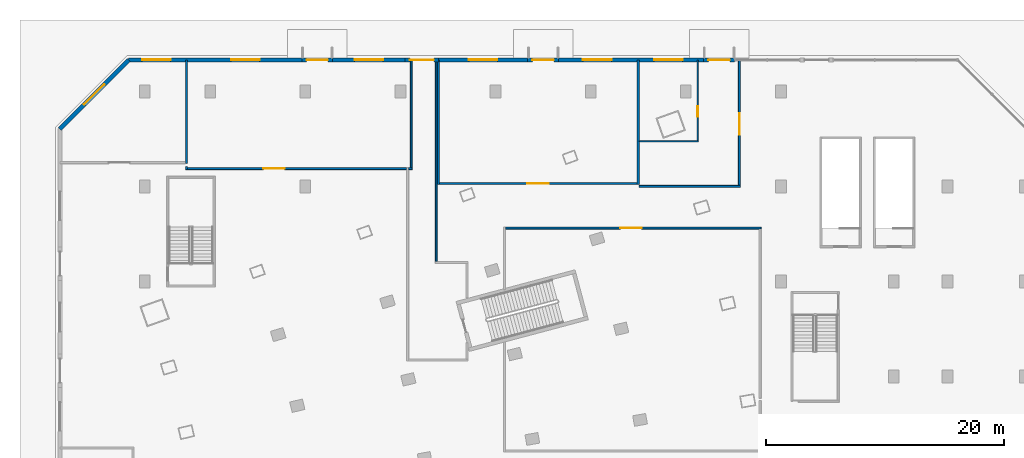
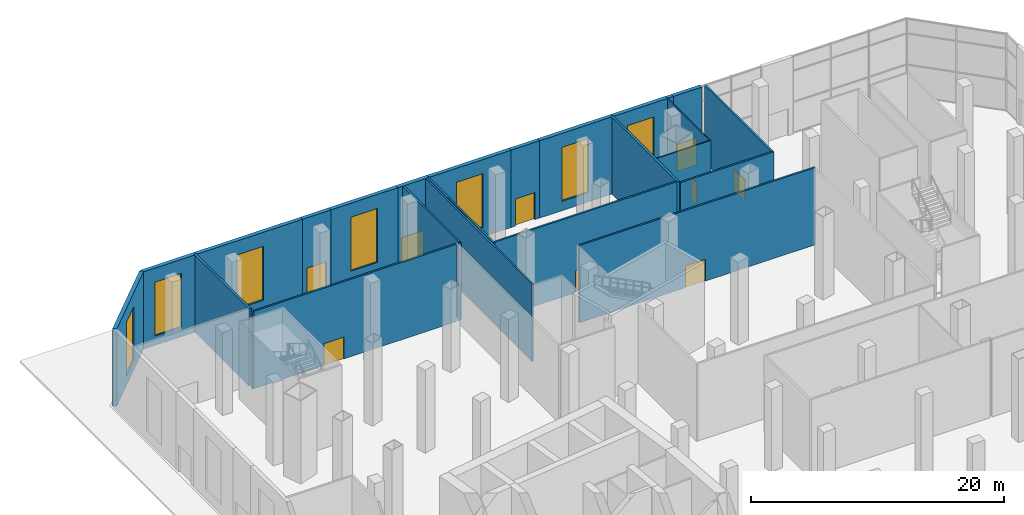
# One storey, part 19 of 33: 23 walls, 9 doors, 7 windows, 16 openings.
"""IFC4 building model written with IfcOpenShell, lengths in metres."""

from ifc_helpers import new_model, si_unit, direction, frame, frame_2d, origin, place, context, subcontext, project, spatial, rectangle, extrude, material, layer, layer_set, type_object, element, fill, save


model = new_model("IFC4")

# Units and contexts
model_context = context("Model", 3, precision=1e-05, world=origin(), true_north=direction((0.0, 1.0)))
body_context = subcontext(model_context, "Body", "Model", "MODEL_VIEW")
ifc_project = project(units=[si_unit("LENGTHUNIT", "METRE"), si_unit("AREAUNIT", "SQUARE_METRE"), si_unit("VOLUMEUNIT", "CUBIC_METRE"), si_unit("PLANEANGLEUNIT", "RADIAN"), si_unit("MASSUNIT", "GRAM", prefix="KILO")], contexts=[model_context])

# Site, building, storey
site_placement = place(None, origin())
site = spatial("IfcSite", under=ifc_project, at=site_placement, CompositionType="ELEMENT")
building_placement = place(site_placement, origin())
building = spatial("IfcBuilding", under=site, at=building_placement, Name="Alderwake Tower", CompositionType="ELEMENT")
storey_placement = place(building_placement, origin())
storey = spatial("IfcBuildingStorey", under=building, at=storey_placement, Name="L00", CompositionType="ELEMENT", Elevation=0.0)

# Wall
ifc_material_1 = material(Name="Gypsum board on metal studs, rated")
ifc_layer_1 = layer(ifc_material_1, 0.159912109375)
ifc_layer_set_1 = layer_set([ifc_layer_1], Name="Corridor wall 160")
wall_type_1 = type_object("IfcWallType", Name="Corridor wall 160", PredefinedType="PARTITIONING", material=ifc_layer_set_1)
wall_1_placement = place(storey_placement, frame((14.0009765625, 105.4208984375, 0.0), z_axis=(0.0, 0.0, 1.0), x_axis=(0.0, 1.0, 0.0)))
element("IfcWall", 1, at=wall_1_placement, inside=storey, type_object=wall_type_1, Name="WL/L00/W70", PredefinedType="PARTITIONING", context=body_context, shape_type="SweptSolid", body=[
    extrude(rectangle(XDim=0.244873046875, YDim=0.159912109375, at=frame_2d((0.12255859375, 0.0))), origin(), (0.0, 0.0, 1.0), 7.449951171875),
])

# Wall, opening, door
wall_2_placement = place(storey_placement, frame((32.52587890625, 105.5009765625, 0.0), z_axis=(0.0, 0.0, 1.0), x_axis=(-1.0, 0.0, 0.0)))
wall_2 = element("IfcWall", 2, at=wall_2_placement, inside=storey, type_object=wall_type_1, Name="WL/L00/W72", PredefinedType="PARTITIONING", context=body_context, shape_type="SweptSolid", body=[
    extrude(rectangle(XDim=18.44482421875, YDim=0.159912109375, at=frame_2d((9.222412109375, 0.0))), origin(), (0.0, 0.0, 1.0), 7.449951171875),
])
opening_1_placement = place(wall_2_placement, frame((10.27587890625, 0.0, 0.0)))
opening_1 = element("IfcOpeningElement", 3, at=opening_1_placement, cuts=wall_2, Name="Opening L00-16", PredefinedType="OPENING", context=body_context, shape_type="SweptSolid", body=[
    extrude(rectangle(XDim=1.800048828125, YDim=2.10009765625, at=frame_2d((0.89990234375, 1.050048828125))), frame((0.0, 0.08984375, 0.0), z_axis=(0.0, -1.0, 0.0), x_axis=(1.0, 0.0, 0.0)), (0.0, 0.0, 1.0), 0.179931640625),
])
ifc_material_2 = material(Name="Aluminium framed glazed leaves", Category="aluminium")
door_type_1 = type_object("IfcDoorType", Name="Shopfront door 1800 glazed double", OperationType="DOUBLE_DOOR_SINGLE_SWING", PredefinedType="DOOR", material=ifc_material_2)
door_1_placement = place(opening_1_placement, origin())
door_1 = element("IfcDoor", 4, at=door_1_placement, inside=storey, type_object=door_type_1, Name="DR/L00/16", OperationType="DOUBLE_DOOR_SINGLE_SWING", OverallHeight=2.10009765625, OverallWidth=1.800048828125, PredefinedType="DOOR", context=body_context, shape_type="SweptSolid", body=[
    extrude(rectangle(XDim=1.800048828125, YDim=2.10009765625, at=frame_2d((0.89990234375, 1.050048828125))), frame((0.0, 0.02490234375, 0.0), z_axis=(0.0, -1.0, 0.0), x_axis=(1.0, 0.0, 0.0)), (0.0, 0.0, 1.0), 0.050048828125),
])
fill(opening_1, door_1)

# Wall
wall_3_placement = place(storey_placement, frame((35.198974609375, 104.169921875, 0.0), z_axis=(0.0, 0.0, 1.0), x_axis=(0.0, 1.0, 0.0)))
element("IfcWall", 5, at=wall_3_placement, inside=storey, type_object=wall_type_1, Name="WL/L00/W73", PredefinedType="PARTITIONING", context=body_context, shape_type="SweptSolid", body=[
    extrude(rectangle(XDim=10.4501953125, YDim=0.159912109375, at=frame_2d((5.22509765625, 0.0))), origin(), (0.0, 0.0, 1.0), 7.449951171875),
])

# Wall, opening, door
wall_4_placement = place(storey_placement, frame((40.8291015625, 100.5, 0.0), z_axis=(0.0, 0.0, 1.0), x_axis=(1.0, 0.0, 0.0)))
wall_4 = element("IfcWall", 6, at=wall_4_placement, inside=storey, type_object=wall_type_1, Name="WL/L00/W77", PredefinedType="PARTITIONING", context=body_context, shape_type="SweptSolid", body=[
    extrude(rectangle(XDim=21.5009765625, YDim=0.159912109375, at=frame_2d((10.75048828125, 0.0))), origin(), (0.0, 0.0, 1.0), 7.449951171875),
])
opening_2_placement = place(wall_4_placement, frame((9.6708984375, 0.0, 0.0)))
opening_2 = element("IfcOpeningElement", 7, at=opening_2_placement, cuts=wall_4, Name="Opening L00-15", PredefinedType="OPENING", context=body_context, shape_type="SweptSolid", body=[
    extrude(rectangle(XDim=1.800048828125, YDim=2.10009765625, at=frame_2d((0.89990234375, 1.050048828125))), frame((0.0, 0.08984375, 0.0), z_axis=(0.0, -1.0, 0.0), x_axis=(1.0, 0.0, 0.0)), (0.0, 0.0, 1.0), 0.179931640625),
])
door_2_placement = place(opening_2_placement, origin())
door_2 = element("IfcDoor", 8, at=door_2_placement, inside=storey, type_object=door_type_1, Name="DR/L00/15", OperationType="DOUBLE_DOOR_SINGLE_SWING", OverallHeight=2.10009765625, OverallWidth=1.800048828125, PredefinedType="DOOR", context=body_context, shape_type="SweptSolid", body=[
    extrude(rectangle(XDim=1.800048828125, YDim=2.10009765625, at=frame_2d((0.89990234375, 1.050048828125))), frame((0.0, 0.02490234375, 0.0), z_axis=(0.0, -1.0, 0.0), x_axis=(1.0, 0.0, 0.0)), (0.0, 0.0, 1.0), 0.050048828125),
])
fill(opening_2, door_2)

wall_5_placement = place(storey_placement, frame((51.89892578125, 104.25, 0.0), z_axis=(0.0, 0.0, 1.0), x_axis=(-1.0, 0.0, 0.0)))
wall_5 = element("IfcWall", 9, at=wall_5_placement, inside=storey, type_object=wall_type_1, Name="WL/L00/W88", PredefinedType="PARTITIONING", context=body_context, shape_type="SweptSolid", body=[
    extrude(rectangle(XDim=16.619873046875, YDim=0.159912109375, at=frame_2d((8.31005859375, 0.0))), origin(), (0.0, 0.0, 1.0), 7.449951171875),
])
opening_3_placement = place(wall_5_placement, frame((7.448974609375, 0.0, 0.0)))
opening_3 = element("IfcOpeningElement", 10, at=opening_3_placement, cuts=wall_5, Name="Opening L00-17", PredefinedType="OPENING", context=body_context, shape_type="SweptSolid", body=[
    extrude(rectangle(XDim=1.800048828125, YDim=2.10009765625, at=frame_2d((0.89990234375, 1.050048828125))), frame((0.0, 0.08984375, 0.0), z_axis=(0.0, -1.0, 0.0), x_axis=(1.0, 0.0, 0.0)), (0.0, 0.0, 1.0), 0.179931640625),
])
door_3_placement = place(opening_3_placement, origin())
door_3 = element("IfcDoor", 11, at=door_3_placement, inside=storey, type_object=door_type_1, Name="DR/L00/17", OperationType="DOUBLE_DOOR_SINGLE_SWING", OverallHeight=2.10009765625, OverallWidth=1.800048828125, PredefinedType="DOOR", context=body_context, shape_type="SweptSolid", body=[
    extrude(rectangle(XDim=1.800048828125, YDim=2.10009765625, at=frame_2d((0.89990234375, 1.050048828125))), frame((0.0, 0.02490234375, 0.0), z_axis=(0.0, -1.0, 0.0), x_axis=(1.0, 0.0, 0.0)), (0.0, 0.0, 1.0), 0.050048828125),
])
fill(opening_3, door_3)

# Wall
wall_6_placement = place(storey_placement, frame((60.5810546875, 104.0009765625, 0.0), z_axis=(0.0, 0.0, 1.0), x_axis=(-1.0, 0.0, 0.0)))
element("IfcWall", 12, at=wall_6_placement, inside=storey, type_object=wall_type_1, Name="WL/L00/W92", PredefinedType="PARTITIONING", context=body_context, shape_type="SweptSolid", body=[
    extrude(rectangle(XDim=8.501953125, YDim=0.159912109375, at=frame_2d((4.2509765625, 0.0))), origin(), (0.0, 0.0, 1.0), 7.449951171875),
])

# Wall, opening, door
wall_7_placement = place(storey_placement, frame((60.5009765625, 114.6201171875, 0.0), z_axis=(0.0, 0.0, 1.0), x_axis=(0.0, -1.0, 0.0)))
wall_7 = element("IfcWall", 13, at=wall_7_placement, inside=storey, type_object=wall_type_1, Name="WL/L00/W93", PredefinedType="PARTITIONING", context=body_context, shape_type="SweptSolid", body=[
    extrude(rectangle(XDim=10.5390625, YDim=0.159912109375, at=frame_2d((5.26953125, 0.0))), origin(), (0.0, 0.0, 1.0), 7.449951171875),
])
opening_4_placement = place(wall_7_placement, frame((4.469970703125, 0.0, 0.0)))
opening_4 = element("IfcOpeningElement", 14, at=opening_4_placement, cuts=wall_7, Name="Opening L00-18", PredefinedType="OPENING", context=body_context, shape_type="SweptSolid", body=[
    extrude(rectangle(XDim=1.800048828125, YDim=2.10009765625, at=frame_2d((0.89990234375, 1.050048828125))), frame((0.0, 0.08984375, 0.0), z_axis=(0.0, -1.0, 0.0), x_axis=(1.0, 0.0, 0.0)), (0.0, 0.0, 1.0), 0.179931640625),
])
door_4_placement = place(opening_4_placement, origin())
door_4 = element("IfcDoor", 15, at=door_4_placement, inside=storey, type_object=door_type_1, Name="DR/L00/18", OperationType="DOUBLE_DOOR_SINGLE_SWING", OverallHeight=2.10009765625, OverallWidth=1.800048828125, PredefinedType="DOOR", context=body_context, shape_type="SweptSolid", body=[
    extrude(rectangle(XDim=1.800048828125, YDim=2.10009765625, at=frame_2d((0.89990234375, 1.050048828125))), frame((0.0, 0.02490234375, 0.0), z_axis=(0.0, -1.0, 0.0), x_axis=(1.0, 0.0, 0.0)), (0.0, 0.0, 1.0), 0.050048828125),
])
fill(opening_4, door_4)

ifc_material_3 = material(Name="Precast concrete C50/60 spandrel panel", Category="concrete")
ifc_layer_2 = layer(ifc_material_3, 0.35009765625)
ifc_layer_set_2 = layer_set([ifc_layer_2], Name="External wall EW4 Precast concrete C50/60 podium")
wall_type_2 = type_object("IfcWallType", Name="External wall EW4 Precast concrete C50/60 podium", PredefinedType="SOLIDWALL", material=ifc_layer_set_2)
wall_8_placement = place(storey_placement, frame((60.10009765625, 114.64990234375, 0.0), z_axis=(0.0, 0.0, 1.0), x_axis=(-1.0, 0.0, 0.0)))
wall_8 = element("IfcWall", 16, at=wall_8_placement, inside=storey, type_object=wall_type_2, Name="External wall 13", PredefinedType="SOLIDWALL", context=body_context, shape_type="SweptSolid", body=[
    extrude(rectangle(XDim=2.60009765625, YDim=0.35009765625, at=frame_2d((1.300048828125, 0.0))), origin(), (0.0, 0.0, 1.0), 7.449951171875),
])
opening_5_placement = place(wall_8_placement, frame((0.39990234375, 0.0, 0.0)))
opening_5 = element("IfcOpeningElement", 17, at=opening_5_placement, cuts=wall_8, Name="Opening D10", PredefinedType="OPENING", context=body_context, shape_type="SweptSolid", body=[
    extrude(rectangle(XDim=1.800048828125, YDim=2.60009765625, at=frame_2d((0.89990234375, 1.300048828125))), frame((0.0, 0.18505859375, 0.0), z_axis=(0.0, -1.0, 0.0), x_axis=(1.0, 0.0, 0.0)), (0.0, 0.0, 1.0), 0.3701171875),
])
ifc_material_4 = material(Name="Bronze tinted glass in aluminium frame", Category="aluminium")
door_type_2 = type_object("IfcDoorType", Name="Shop entrance door SE 1800", OperationType="DOUBLE_DOOR_SINGLE_SWING", PredefinedType="DOOR", material=ifc_material_4)
door_5_placement = place(opening_5_placement, origin())
door_5 = element("IfcDoor", 18, at=door_5_placement, inside=storey, type_object=door_type_2, Name="Door D10", OperationType="DOUBLE_DOOR_SINGLE_SWING", OverallHeight=2.60009765625, OverallWidth=1.800048828125, PredefinedType="DOOR", context=body_context, shape_type="SweptSolid", body=[
    extrude(rectangle(XDim=1.800048828125, YDim=2.60009765625, at=frame_2d((0.89990234375, 1.300048828125))), frame((0.0, 0.02490234375, 0.0), z_axis=(0.0, -1.0, 0.0), x_axis=(1.0, 0.0, 0.0)), (0.0, 0.0, 1.0), 0.050048828125),
])
fill(opening_5, door_5)

# Wall, openings, windows
wall_9_placement = place(storey_placement, frame((57.5, 114.64990234375, 0.0), z_axis=(0.0, 0.0, 1.0), x_axis=(-1.0, 0.0, 0.0)))
wall_9 = element("IfcWall", 19, at=wall_9_placement, inside=storey, type_object=wall_type_2, Name="External wall 14", PredefinedType="SOLIDWALL", context=body_context, shape_type="SweptSolid", body=[
    extrude(rectangle(XDim=12.199951171875, YDim=0.35009765625, at=frame_2d((6.10009765625, 0.0))), origin(), (0.0, 0.0, 1.0), 7.449951171875),
])
opening_6_placement = place(wall_9_placement, frame((1.775390625, 0.0, 0.89990234375)))
opening_6 = element("IfcOpeningElement", 20, at=opening_6_placement, cuts=wall_9, Name="Opening W7", PredefinedType="OPENING", context=body_context, shape_type="SweptSolid", body=[
    extrude(rectangle(XDim=2.39990234375, YDim=5.199951171875, at=frame_2d((1.199951171875, 2.60009765625))), frame((0.0, 0.18505859375, 0.0), z_axis=(0.0, -1.0, 0.0), x_axis=(1.0, 0.0, 0.0)), (0.0, 0.0, 1.0), 0.3701171875),
])
opening_7_placement = place(wall_9_placement, frame((7.75048828125, 0.0, 0.89990234375)))
opening_7 = element("IfcOpeningElement", 21, at=opening_7_placement, cuts=wall_9, Name="Opening W7", PredefinedType="OPENING", context=body_context, shape_type="SweptSolid", body=[
    extrude(rectangle(XDim=2.39990234375, YDim=5.199951171875, at=frame_2d((1.199951171875, 2.60009765625))), frame((0.0, 0.18505859375, 0.0), z_axis=(0.0, -1.0, 0.0), x_axis=(1.0, 0.0, 0.0)), (0.0, 0.0, 1.0), 0.3701171875),
])
ifc_material_5 = material(Name="Bronze tinted glass in aluminium frame", Category="aluminium")
window_type = type_object("IfcWindowType", Name="Window W7 podium ground floor tall", PartitioningType="DOUBLE_PANEL_VERTICAL", PredefinedType="WINDOW", material=ifc_material_5)
window_1_placement = place(opening_6_placement, origin())
window_1 = element("IfcWindow", 22, at=window_1_placement, inside=storey, type_object=window_type, Name="Window W7 podium ground floor tall", OverallHeight=5.199951171875, OverallWidth=2.39990234375, PartitioningType="DOUBLE_PANEL_VERTICAL", PredefinedType="WINDOW", context=body_context, shape_type="SweptSolid", body=[
    extrude(rectangle(XDim=2.39990234375, YDim=5.199951171875, at=frame_2d((1.199951171875, 2.60009765625))), frame((0.0, 0.030029296875, 0.0), z_axis=(0.0, -1.0, 0.0), x_axis=(1.0, 0.0, 0.0)), (0.0, 0.0, 1.0), 0.06005859375),
])
fill(opening_6, window_1)
window_2_placement = place(opening_7_placement, origin())
window_2 = element("IfcWindow", 23, at=window_2_placement, inside=storey, type_object=window_type, Name="Window W7 podium ground floor tall", OverallHeight=5.199951171875, OverallWidth=2.39990234375, PartitioningType="DOUBLE_PANEL_VERTICAL", PredefinedType="WINDOW", context=body_context, shape_type="SweptSolid", body=[
    extrude(rectangle(XDim=2.39990234375, YDim=5.199951171875, at=frame_2d((1.199951171875, 2.60009765625))), frame((0.0, 0.030029296875, 0.0), z_axis=(0.0, -1.0, 0.0), x_axis=(1.0, 0.0, 0.0)), (0.0, 0.0, 1.0), 0.06005859375),
])
fill(opening_7, window_2)

# Wall, opening, door
wall_10_placement = place(storey_placement, frame((45.300048828125, 114.64990234375, 0.0), z_axis=(0.0, 0.0, 1.0), x_axis=(-1.0, 0.0, 0.0)))
wall_10 = element("IfcWall", 24, at=wall_10_placement, inside=storey, type_object=wall_type_2, Name="External wall 15", PredefinedType="SOLIDWALL", context=body_context, shape_type="SweptSolid", body=[
    extrude(rectangle(XDim=2.60009765625, YDim=0.35009765625, at=frame_2d((1.300048828125, 0.0))), origin(), (0.0, 0.0, 1.0), 7.449951171875),
])
opening_8_placement = place(wall_10_placement, frame((0.39990234375, 0.0, 0.0)))
opening_8 = element("IfcOpeningElement", 25, at=opening_8_placement, cuts=wall_10, Name="Opening D11", PredefinedType="OPENING", context=body_context, shape_type="SweptSolid", body=[
    extrude(rectangle(XDim=1.800048828125, YDim=2.60009765625, at=frame_2d((0.89990234375, 1.300048828125))), frame((0.0, 0.18505859375, 0.0), z_axis=(0.0, -1.0, 0.0), x_axis=(1.0, 0.0, 0.0)), (0.0, 0.0, 1.0), 0.3701171875),
])
door_6_placement = place(opening_8_placement, origin())
door_6 = element("IfcDoor", 26, at=door_6_placement, inside=storey, type_object=door_type_2, Name="Door D11", OperationType="DOUBLE_DOOR_SINGLE_SWING", OverallHeight=2.60009765625, OverallWidth=1.800048828125, PredefinedType="DOOR", context=body_context, shape_type="SweptSolid", body=[
    extrude(rectangle(XDim=1.800048828125, YDim=2.60009765625, at=frame_2d((0.89990234375, 1.300048828125))), frame((0.0, 0.02490234375, 0.0), z_axis=(0.0, -1.0, 0.0), x_axis=(1.0, 0.0, 0.0)), (0.0, 0.0, 1.0), 0.050048828125),
])
fill(opening_8, door_6)

# Wall, opening, window
wall_11_placement = place(storey_placement, frame((42.699951171875, 114.64990234375, 0.0), z_axis=(0.0, 0.0, 1.0), x_axis=(-1.0, 0.0, 0.0)))
wall_11 = element("IfcWall", 27, at=wall_11_placement, inside=storey, type_object=wall_type_2, Name="External wall 16", PredefinedType="SOLIDWALL", context=body_context, shape_type="SweptSolid", body=[
    extrude(rectangle(XDim=7.5, YDim=0.35009765625, at=frame_2d((3.75, 0.0))), origin(), (0.0, 0.0, 1.0), 7.449951171875),
])
opening_9_placement = place(wall_11_placement, frame((2.550048828125, 0.0, 0.89990234375)))
opening_9 = element("IfcOpeningElement", 28, at=opening_9_placement, cuts=wall_11, Name="Opening W7", PredefinedType="OPENING", context=body_context, shape_type="SweptSolid", body=[
    extrude(rectangle(XDim=2.39990234375, YDim=5.199951171875, at=frame_2d((1.199951171875, 2.60009765625))), frame((0.0, 0.18505859375, 0.0), z_axis=(0.0, -1.0, 0.0), x_axis=(1.0, 0.0, 0.0)), (0.0, 0.0, 1.0), 0.3701171875),
])
window_3_placement = place(opening_9_placement, origin())
window_3 = element("IfcWindow", 29, at=window_3_placement, inside=storey, type_object=window_type, Name="Window W7 podium ground floor tall", OverallHeight=5.199951171875, OverallWidth=2.39990234375, PartitioningType="DOUBLE_PANEL_VERTICAL", PredefinedType="WINDOW", context=body_context, shape_type="SweptSolid", body=[
    extrude(rectangle(XDim=2.39990234375, YDim=5.199951171875, at=frame_2d((1.199951171875, 2.60009765625))), frame((0.0, 0.030029296875, 0.0), z_axis=(0.0, -1.0, 0.0), x_axis=(1.0, 0.0, 0.0)), (0.0, 0.0, 1.0), 0.06005859375),
])
fill(opening_9, window_3)

# Wall, opening, door
wall_12_placement = place(storey_placement, frame((32.39990234375, 114.64990234375, 0.0), z_axis=(0.0, 0.0, 1.0), x_axis=(1.0, 0.0, 0.0)))
wall_12 = element("IfcWall", 30, at=wall_12_placement, inside=storey, type_object=wall_type_2, Name="External wall 17", PredefinedType="SOLIDWALL", context=body_context, shape_type="SweptSolid", body=[
    extrude(rectangle(XDim=2.800048828125, YDim=0.35009765625, at=frame_2d((1.39990234375, 0.0))), origin(), (0.0, 0.0, 1.0), 7.449951171875),
])
opening_10_placement = place(wall_12_placement, frame((0.39990234375, 0.0, 0.0)))
opening_10 = element("IfcOpeningElement", 31, at=opening_10_placement, cuts=wall_12, Name="Opening D12", PredefinedType="OPENING", context=body_context, shape_type="SweptSolid", body=[
    extrude(rectangle(XDim=2.0, YDim=2.39990234375, at=frame_2d((1.0, 1.199951171875))), frame((0.0, 0.18505859375, 0.0), z_axis=(0.0, -1.0, 0.0), x_axis=(1.0, 0.0, 0.0)), (0.0, 0.0, 1.0), 0.3701171875),
])
ifc_material_6 = material(Name="Painted steel door leaf", Category="steel")
door_type_3 = type_object("IfcDoorType", Name="Exit door XD stair discharge 2000", OperationType="DOUBLE_DOOR_SINGLE_SWING", PredefinedType="DOOR", material=ifc_material_6)
door_7_placement = place(opening_10_placement, origin())
door_7 = element("IfcDoor", 32, at=door_7_placement, inside=storey, type_object=door_type_3, Name="Door D12", OperationType="DOUBLE_DOOR_SINGLE_SWING", OverallHeight=2.39990234375, OverallWidth=2.0, PredefinedType="DOOR", context=body_context, shape_type="SweptSolid", body=[
    extrude(rectangle(XDim=2.0, YDim=2.39990234375, at=frame_2d((1.0, 1.199951171875))), frame((0.0, 0.02490234375, 0.0), z_axis=(0.0, -1.0, 0.0), x_axis=(1.0, 0.0, 0.0)), (0.0, 0.0, 1.0), 0.050048828125),
])
fill(opening_10, door_7)

# Wall, opening, window
wall_13_placement = place(storey_placement, frame((32.39990234375, 114.64990234375, 0.0), z_axis=(0.0, 0.0, 1.0), x_axis=(-1.0, 0.0, 0.0)))
wall_13 = element("IfcWall", 33, at=wall_13_placement, inside=storey, type_object=wall_type_2, Name="External wall 18", PredefinedType="SOLIDWALL", context=body_context, shape_type="SweptSolid", body=[
    extrude(rectangle(XDim=6.099853515625, YDim=0.35009765625, at=frame_2d((3.0498046875, 0.0))), origin(), (0.0, 0.0, 1.0), 7.449951171875),
])
opening_11_placement = place(wall_13_placement, frame((1.85009765625, 0.0, 0.89990234375)))
opening_11 = element("IfcOpeningElement", 34, at=opening_11_placement, cuts=wall_13, Name="Opening W7", PredefinedType="OPENING", context=body_context, shape_type="SweptSolid", body=[
    extrude(rectangle(XDim=2.39990234375, YDim=5.199951171875, at=frame_2d((1.199951171875, 2.60009765625))), frame((0.0, 0.18505859375, 0.0), z_axis=(0.0, -1.0, 0.0), x_axis=(1.0, 0.0, 0.0)), (0.0, 0.0, 1.0), 0.3701171875),
])
window_4_placement = place(opening_11_placement, origin())
window_4 = element("IfcWindow", 35, at=window_4_placement, inside=storey, type_object=window_type, Name="Window W7 podium ground floor tall", OverallHeight=5.199951171875, OverallWidth=2.39990234375, PartitioningType="DOUBLE_PANEL_VERTICAL", PredefinedType="WINDOW", context=body_context, shape_type="SweptSolid", body=[
    extrude(rectangle(XDim=2.39990234375, YDim=5.199951171875, at=frame_2d((1.199951171875, 2.60009765625))), frame((0.0, 0.030029296875, 0.0), z_axis=(0.0, -1.0, 0.0), x_axis=(1.0, 0.0, 0.0)), (0.0, 0.0, 1.0), 0.06005859375),
])
fill(opening_11, window_4)

# Wall, opening, door
wall_14_placement = place(storey_placement, frame((26.300048828125, 114.64990234375, 0.0), z_axis=(0.0, 0.0, 1.0), x_axis=(-1.0, 0.0, 0.0)))
wall_14 = element("IfcWall", 36, at=wall_14_placement, inside=storey, type_object=wall_type_2, Name="External wall 19", PredefinedType="SOLIDWALL", context=body_context, shape_type="SweptSolid", body=[
    extrude(rectangle(XDim=2.60009765625, YDim=0.35009765625, at=frame_2d((1.300048828125, 0.0))), origin(), (0.0, 0.0, 1.0), 7.449951171875),
])
opening_12_placement = place(wall_14_placement, frame((0.39990234375, 0.0, 0.0)))
opening_12 = element("IfcOpeningElement", 37, at=opening_12_placement, cuts=wall_14, Name="Opening D13", PredefinedType="OPENING", context=body_context, shape_type="SweptSolid", body=[
    extrude(rectangle(XDim=1.800048828125, YDim=2.60009765625, at=frame_2d((0.89990234375, 1.300048828125))), frame((0.0, 0.18505859375, 0.0), z_axis=(0.0, -1.0, 0.0), x_axis=(1.0, 0.0, 0.0)), (0.0, 0.0, 1.0), 0.3701171875),
])
door_8_placement = place(opening_12_placement, origin())
door_8 = element("IfcDoor", 38, at=door_8_placement, inside=storey, type_object=door_type_2, Name="Door D13", OperationType="DOUBLE_DOOR_SINGLE_SWING", OverallHeight=2.60009765625, OverallWidth=1.800048828125, PredefinedType="DOOR", context=body_context, shape_type="SweptSolid", body=[
    extrude(rectangle(XDim=1.800048828125, YDim=2.60009765625, at=frame_2d((0.89990234375, 1.300048828125))), frame((0.0, 0.02490234375, 0.0), z_axis=(0.0, -1.0, 0.0), x_axis=(1.0, 0.0, 0.0)), (0.0, 0.0, 1.0), 0.050048828125),
])
fill(opening_12, door_8)

# Wall, openings, windows
wall_15_placement = place(storey_placement, frame((23.699951171875, 114.64990234375, 0.0), z_axis=(0.0, 0.0, 1.0), x_axis=(-1.0, 0.0, 0.0)))
wall_15 = element("IfcWall", 39, at=wall_15_placement, inside=storey, type_object=wall_type_2, Name="External wall 20", PredefinedType="SOLIDWALL", context=body_context, shape_type="SweptSolid", body=[
    extrude(rectangle(XDim=14.570068359375, YDim=0.35009765625, at=frame_2d((7.28515625, 0.0))), origin(), (0.0, 0.0, 1.0), 7.449951171875),
])
opening_13_placement = place(wall_15_placement, frame((3.549560546875, 0.0, 0.89990234375)))
opening_13 = element("IfcOpeningElement", 40, at=opening_13_placement, cuts=wall_15, Name="Opening W7", PredefinedType="OPENING", context=body_context, shape_type="SweptSolid", body=[
    extrude(rectangle(XDim=2.39990234375, YDim=5.199951171875, at=frame_2d((1.199951171875, 2.60009765625))), frame((0.0, 0.18505859375, 0.0), z_axis=(0.0, -1.0, 0.0), x_axis=(1.0, 0.0, 0.0)), (0.0, 0.0, 1.0), 0.3701171875),
])
opening_14_placement = place(wall_15_placement, frame((11.034423828125, 0.0, 0.89990234375)))
opening_14 = element("IfcOpeningElement", 41, at=opening_14_placement, cuts=wall_15, Name="Opening W7", PredefinedType="OPENING", context=body_context, shape_type="SweptSolid", body=[
    extrude(rectangle(XDim=2.39990234375, YDim=5.199951171875, at=frame_2d((1.199951171875, 2.60009765625))), frame((0.0, 0.18505859375, 0.0), z_axis=(0.0, -1.0, 0.0), x_axis=(1.0, 0.0, 0.0)), (0.0, 0.0, 1.0), 0.3701171875),
])
window_5_placement = place(opening_13_placement, origin())
window_5 = element("IfcWindow", 42, at=window_5_placement, inside=storey, type_object=window_type, Name="Window W7 podium ground floor tall", OverallHeight=5.199951171875, OverallWidth=2.39990234375, PartitioningType="DOUBLE_PANEL_VERTICAL", PredefinedType="WINDOW", context=body_context, shape_type="SweptSolid", body=[
    extrude(rectangle(XDim=2.39990234375, YDim=5.199951171875, at=frame_2d((1.199951171875, 2.60009765625))), frame((0.0, 0.030029296875, 0.0), z_axis=(0.0, -1.0, 0.0), x_axis=(1.0, 0.0, 0.0)), (0.0, 0.0, 1.0), 0.06005859375),
])
fill(opening_13, window_5)
window_6_placement = place(opening_14_placement, origin())
window_6 = element("IfcWindow", 43, at=window_6_placement, inside=storey, type_object=window_type, Name="Window W7 podium ground floor tall", OverallHeight=5.199951171875, OverallWidth=2.39990234375, PartitioningType="DOUBLE_PANEL_VERTICAL", PredefinedType="WINDOW", context=body_context, shape_type="SweptSolid", body=[
    extrude(rectangle(XDim=2.39990234375, YDim=5.199951171875, at=frame_2d((1.199951171875, 2.60009765625))), frame((0.0, 0.030029296875, 0.0), z_axis=(0.0, -1.0, 0.0), x_axis=(1.0, 0.0, 0.0)), (0.0, 0.0, 1.0), 0.06005859375),
])
fill(opening_14, window_6)

# Wall, opening, window
wall_16_placement = place(storey_placement, frame((9.14501953125, 114.64990234375, 0.0), z_axis=(0.0, 0.0, 1.0), x_axis=(-0.707121649021, -0.707091913039, 0.0)))
wall_16 = element("IfcWall", 44, at=wall_16_placement, inside=storey, type_object=wall_type_2, Name="External wall 21", PredefinedType="SOLIDWALL", context=body_context, shape_type="SweptSolid", body=[
    extrude(rectangle(XDim=8.210205078125, YDim=0.35009765625, at=frame_2d((4.10498046875, 0.0))), origin(), (0.0, 0.0, 1.0), 7.449951171875),
])
opening_15_placement = place(wall_16_placement, frame((2.9052734375, 0.0, 0.89990234375)))
opening_15 = element("IfcOpeningElement", 45, at=opening_15_placement, cuts=wall_16, Name="Opening W7", PredefinedType="OPENING", context=body_context, shape_type="SweptSolid", body=[
    extrude(rectangle(XDim=2.39990234375, YDim=5.199951171875, at=frame_2d((1.199951171875, 2.60009765625))), frame((0.0, 0.18505859375, 0.0), z_axis=(0.0, -1.0, 0.0), x_axis=(1.0, 0.0, 0.0)), (0.0, 0.0, 1.0), 0.3701171875),
])
window_7_placement = place(opening_15_placement, origin())
window_7 = element("IfcWindow", 46, at=window_7_placement, inside=storey, type_object=window_type, Name="Window W7 podium ground floor tall", OverallHeight=5.199951171875, OverallWidth=2.39990234375, PartitioningType="DOUBLE_PANEL_VERTICAL", PredefinedType="WINDOW", context=body_context, shape_type="SweptSolid", body=[
    extrude(rectangle(XDim=2.39990234375, YDim=5.199951171875, at=frame_2d((1.199951171875, 2.60009765625))), frame((0.0, 0.030029296875, 0.0), z_axis=(0.0, -1.0, 0.0), x_axis=(1.0, 0.0, 0.0)), (0.0, 0.0, 1.0), 0.06005859375),
])
fill(opening_15, window_7)

# Walls
ifc_material_7 = material(Name="Dense block masonry wall", Category="masonry")
ifc_layer_3 = layer(ifc_material_7, 0.199951171875)
ifc_layer_set_3 = layer_set([ifc_layer_3], Name="Party wall 200")
wall_type_3 = type_object("IfcWallType", Name="Party wall 200", PredefinedType="SOLIDWALL", material=ifc_layer_set_3)
wall_17_placement = place(storey_placement, frame((14.0009765625, 114.6201171875, 0.0), z_axis=(0.0, 0.0, 1.0), x_axis=(0.0, -1.0, 0.0)))
element("IfcWall", 47, at=wall_17_placement, inside=storey, type_object=wall_type_3, Name="WL/L00/W03", PredefinedType="SOLIDWALL", context=body_context, shape_type="SweptSolid", body=[
    extrude(rectangle(XDim=8.701171875, YDim=0.199951171875, at=frame_2d((4.3505859375, 0.0))), origin(), (0.0, 0.0, 1.0), 7.449951171875),
])
wall_18_placement = place(storey_placement, frame((51.9990234375, 104.169921875, 0.0), z_axis=(0.0, 0.0, 1.0), x_axis=(0.0, 1.0, 0.0)))
element("IfcWall", 48, at=wall_18_placement, inside=storey, type_object=wall_type_3, Name="WL/L00/W04", PredefinedType="SOLIDWALL", context=body_context, shape_type="SweptSolid", body=[
    extrude(rectangle(XDim=10.4501953125, YDim=0.199951171875, at=frame_2d((5.22509765625, 0.0))), origin(), (0.0, 0.0, 1.0), 7.449951171875),
])
ifc_material_8 = material(Name="Gypsum shaft wall system, rated")
ifc_layer_4 = layer(ifc_material_8, 0.14990234375)
ifc_layer_set_4 = layer_set([ifc_layer_4], Name="Riser and shaft wall 150")
wall_type_4 = type_object("IfcWallType", Name="Riser and shaft wall 150", PredefinedType="PARTITIONING", material=ifc_layer_set_4)
wall_19_placement = place(storey_placement, frame((32.676025390625, 105.5009765625, 0.0), z_axis=(0.0, 0.0, 1.0), x_axis=(1.0, 0.0, 0.0)))
element("IfcWall", 49, at=wall_19_placement, inside=storey, type_object=wall_type_4, Name="WL/L00/W16", PredefinedType="PARTITIONING", context=body_context, shape_type="SweptSolid", body=[
    extrude(rectangle(XDim=0.300048828125, YDim=0.14990234375, at=frame_2d((0.14990234375, 0.0))), origin(), (0.0, 0.0, 1.0), 7.449951171875),
])
wall_20_placement = place(storey_placement, frame((32.90087890625, 105.575927734375, 0.0), z_axis=(0.0, 0.0, 1.0), x_axis=(0.0, 1.0, 0.0)))
element("IfcWall", 50, at=wall_20_placement, inside=storey, type_object=wall_type_4, Name="WL/L00/W19", PredefinedType="PARTITIONING", context=body_context, shape_type="SweptSolid", body=[
    extrude(rectangle(XDim=9.044189453125, YDim=0.14990234375, at=frame_2d((4.52197265625, 0.0))), origin(), (0.0, 0.0, 1.0), 7.449951171875),
])
wall_21_placement = place(storey_placement, frame((35.0009765625, 114.6201171875, 0.0), z_axis=(0.0, 0.0, 1.0), x_axis=(0.0, -1.0, 0.0)))
element("IfcWall", 51, at=wall_21_placement, inside=storey, type_object=wall_type_4, Name="WL/L00/W22", PredefinedType="PARTITIONING", context=body_context, shape_type="SweptSolid", body=[
    extrude(rectangle(XDim=16.946044921875, YDim=0.14990234375, at=frame_2d((8.47314453125, 0.0))), origin(), (0.0, 0.0, 1.0), 7.449951171875),
])
ifc_material_9 = material(Name="Gypsum board on metal studs")
ifc_layer_5 = layer(ifc_material_9, 0.10009765625)
ifc_layer_set_5 = layer_set([ifc_layer_5], Name="Unit partition 100")
wall_type_5 = type_object("IfcWallType", Name="Unit partition 100", PredefinedType="PARTITIONING", material=ifc_layer_set_5)
wall_22_placement = place(storey_placement, frame((57.050048828125, 107.799072265625, 0.0), z_axis=(0.0, 0.0, 1.0), x_axis=(-1.0, 0.0, 0.0)))
element("IfcWall", 52, at=wall_22_placement, inside=storey, type_object=wall_type_5, Name="WL/L00/W104", PredefinedType="PARTITIONING", context=body_context, shape_type="SweptSolid", body=[
    extrude(rectangle(XDim=4.950927734375, YDim=0.10009765625, at=frame_2d((2.4755859375, 0.0))), origin(), (0.0, 0.0, 1.0), 7.449951171875),
])

# Wall, opening, door
wall_23_placement = place(storey_placement, frame((57.0, 114.6201171875, 0.0), z_axis=(0.0, 0.0, 1.0), x_axis=(0.0, -1.0, 0.0)))
wall_23 = element("IfcWall", 53, at=wall_23_placement, inside=storey, type_object=wall_type_5, Name="WL/L00/W105", PredefinedType="PARTITIONING", context=body_context, shape_type="SweptSolid", body=[
    extrude(rectangle(XDim=6.77099609375, YDim=0.10009765625, at=frame_2d((3.385498046875, 0.0))), origin(), (0.0, 0.0, 1.0), 7.449951171875),
])
opening_16_placement = place(wall_23_placement, frame((3.8701171875, 0.0, 0.0)))
opening_16 = element("IfcOpeningElement", 54, at=opening_16_placement, cuts=wall_23, Name="Opening L00-20", PredefinedType="OPENING", context=body_context, shape_type="SweptSolid", body=[
    extrude(rectangle(XDim=0.89990234375, YDim=2.10009765625, at=frame_2d((0.449951171875, 1.050048828125))), frame((0.0, 0.06005859375, 0.0), z_axis=(0.0, -1.0, 0.0), x_axis=(1.0, 0.0, 0.0)), (0.0, 0.0, 1.0), 0.1201171875),
])
ifc_material_10 = material(Name="Painted timber leaf", Category="wood")
door_type_4 = type_object("IfcDoorType", Name="Room door 900", OperationType="SINGLE_SWING_LEFT", PredefinedType="DOOR", material=ifc_material_10)
door_9_placement = place(opening_16_placement, origin())
door_9 = element("IfcDoor", 55, at=door_9_placement, inside=storey, type_object=door_type_4, Name="DR/L00/20", OperationType="SINGLE_SWING_LEFT", OverallHeight=2.10009765625, OverallWidth=0.89990234375, PredefinedType="DOOR", context=body_context, shape_type="SweptSolid", body=[
    extrude(rectangle(XDim=0.89990234375, YDim=2.10009765625, at=frame_2d((0.449951171875, 1.050048828125))), frame((0.0, 0.02490234375, 0.0), z_axis=(0.0, -1.0, 0.0), x_axis=(1.0, 0.0, 0.0)), (0.0, 0.0, 1.0), 0.050048828125),
])
fill(opening_16, door_9)

save(model, "model.ifc")
